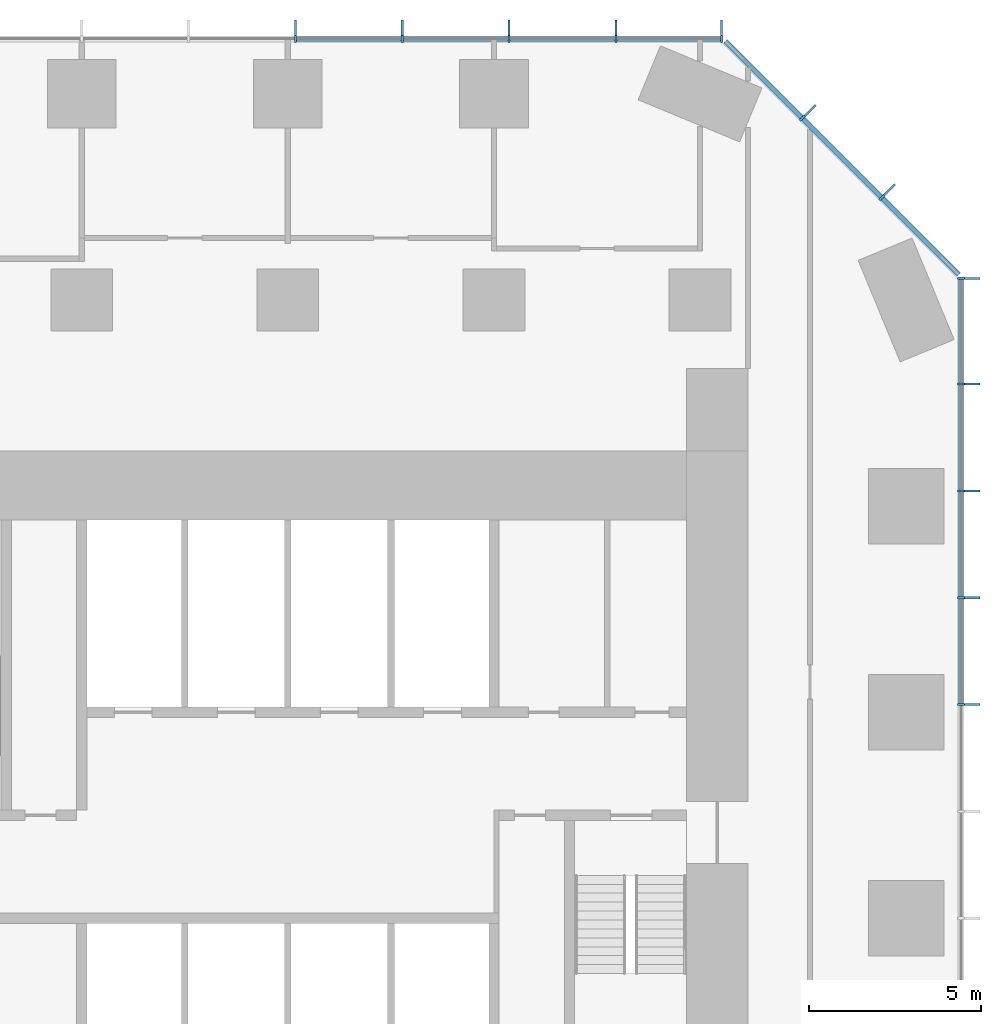
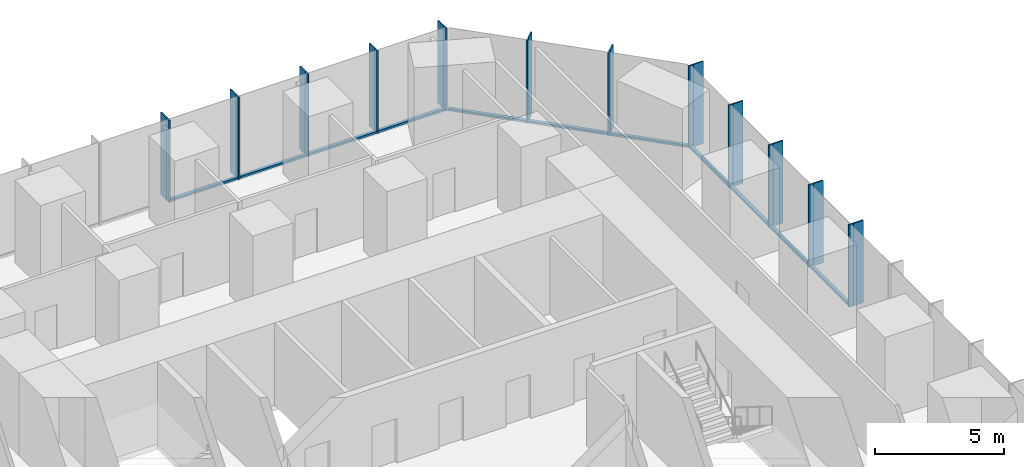
# One storey, part 6 of 11: 35 members, 3 elements without a shape of their own.
"""IFC4 building model written with IfcOpenShell, lengths in metres."""

import ifcopenshell
import ifcopenshell.guid

model = None  # the IFC model being written
_history = None  # IfcOwnerHistory: only IFC2X3 demands one
_inside = {}  # id of a spatial element -> (the spatial element, [elements in it])
_under = {}  # id of a project, library or spatial element -> (it, [spatial elements below it])
_declared = {}  # id of a project -> (the project, [libraries it declares])
_typed = {}  # id of a type object -> (the type object, [elements of that type])
_made_of = {}  # id of a material, layer set ... -> (it, [elements and type objects made of it])


def new_model(schema):
    """Start an empty IFC model of exactly this schema.

    Asked for "IFC4X3", IfcOpenShell would pick the latest addendum, in which some entities
    have other attributes; the version numbers below select the first issue.
    IFC2X3 requires an IfcOwnerHistory on every rooted entity: one is made here for all.
    """
    global model, _history
    if schema == "IFC4X3":
        model = ifcopenshell.file(schema_version=(4, 3, 0, 0))
    else:
        model = ifcopenshell.file(schema=schema)
    _inside.clear()
    _under.clear()
    _declared.clear()
    _typed.clear()
    _made_of.clear()
    _history = None
    if model.schema == "IFC2X3":
        org = make("IfcOrganization", Name="unknown")
        user = make(
            "IfcPersonAndOrganization",
            ThePerson=make("IfcPerson", FamilyName="unknown"),
            TheOrganization=org,
        )
        app = make(
            "IfcApplication",
            ApplicationDeveloper=org,
            Version="unknown",
            ApplicationFullName="unknown",
            ApplicationIdentifier="unknown",
        )
        _history = make(
            "IfcOwnerHistory",
            OwningUser=user,
            OwningApplication=app,
            ChangeAction="ADDED",
            CreationDate=0,
        )
    return model


def make(cls, **values):
    """One entity of the class cls with the attributes given. An attribute that is None is left unset."""
    return model.create_entity(
        cls, **{name: value for name, value in values.items() if value is not None}
    )


def rooted(cls, **values):
    """An entity with a GlobalId (a new one), such as an element, a storey or a relation."""
    return make(cls, GlobalId=ifcopenshell.guid.new(), OwnerHistory=_history, **values)


def si_unit(unit_type, name, prefix=None):
    """IfcSIUnit, for example si_unit("LENGTHUNIT", "METRE", prefix="MILLI")."""
    return make("IfcSIUnit", UnitType=unit_type, Prefix=prefix, Name=name)


def assignment(units):
    """IfcUnitAssignment: the units of a project."""
    return None if units is None else make("IfcUnitAssignment", Units=units)


def point(xyz):
    """IfcCartesianPoint."""
    return None if xyz is None else make("IfcCartesianPoint", Coordinates=xyz)


def direction(xyz):
    """IfcDirection."""
    return None if xyz is None else make("IfcDirection", DirectionRatios=xyz)


def frame(location, z_axis=None, x_axis=None):
    """IfcAxis2Placement3D, a coordinate frame: its origin and axes. An axis left out is left unset."""
    return make(
        "IfcAxis2Placement3D",
        Location=point(location),
        Axis=direction(z_axis),
        RefDirection=direction(x_axis),
    )


def frame_2d(location, x_axis=None):
    """IfcAxis2Placement2D, a coordinate frame in the plane: its origin and x axis."""
    return make(
        "IfcAxis2Placement2D", Location=point(location), RefDirection=direction(x_axis)
    )


def origin():
    """The frame at (0, 0, 0) with its axes left unset."""
    return frame((0.0, 0.0, 0.0))


def origin_2d():
    """The frame at (0, 0) in the plane with its x axis left unset."""
    return frame_2d((0.0, 0.0))


def place(relative_to, where):
    """IfcLocalPlacement: puts the frame where relative to a parent placement (None: the world)."""
    return make(
        "IfcLocalPlacement", PlacementRelTo=relative_to, RelativePlacement=where
    )


def context(
    kind, dimensions, precision=None, world=None, true_north=None, identifier=None
):
    """IfcGeometricRepresentationContext, for example the 3D "Model" context."""
    return make(
        "IfcGeometricRepresentationContext",
        ContextIdentifier=identifier,
        ContextType=kind,
        CoordinateSpaceDimension=dimensions,
        Precision=precision,
        WorldCoordinateSystem=world,
        TrueNorth=true_north,
    )


def subcontext(parent, identifier, kind, view, scale=None):
    """IfcGeometricRepresentationSubContext, for example "Body" below "Model"."""
    return make(
        "IfcGeometricRepresentationSubContext",
        ContextIdentifier=identifier,
        ContextType=kind,
        ParentContext=parent,
        TargetScale=scale,
        TargetView=view,
    )


def project(units=None, contexts=None):
    """IfcProject with its units and contexts."""
    return rooted(
        "IfcProject",
        Name="project",
        RepresentationContexts=contexts,
        UnitsInContext=assignment(units),
    )


def spatial(cls, under=None, at=None, **own):
    """A site, building, storey or space (cls), placed at a placement, below another one or the project."""
    s = rooted(cls, ObjectPlacement=at, **own)
    if under is not None:
        _under.setdefault(under.id(), (under, []))[1].append(s)
    return s


def profile(cls, at=None, kind="AREA", **sizes):
    """A parametric profile (cls). Its sizes go by their IFC names, for example OverallWidth=200.0."""
    return make(cls, ProfileType=kind, Position=at, **sizes)


def rectangle(**sizes):
    """IfcRectangleProfileDef."""
    return profile("IfcRectangleProfileDef", **sizes)


def extrude(swept, where, along, depth):
    """IfcExtrudedAreaSolid: the profile swept, set in the frame where, extruded along a direction by depth."""
    return make(
        "IfcExtrudedAreaSolid",
        SweptArea=swept,
        Position=where,
        ExtrudedDirection=direction(along),
        Depth=depth,
    )


def shape(context_of_items, identifier, shape_type, items):
    """IfcShapeRepresentation: the items that make up one representation, for example the "Body"."""
    return make(
        "IfcShapeRepresentation",
        ContextOfItems=context_of_items,
        RepresentationIdentifier=identifier,
        RepresentationType=shape_type,
        Items=items,
    )


def material(Name=None, Category=None):
    """IfcMaterial."""
    return make("IfcMaterial", Name=Name, Category=Category)


def layer(
    of_material, thickness, ventilated=None, Name=None, Category=None, Priority=None
):
    """IfcMaterialLayer: one layer of a wall or slab, of a material (None: an air gap)."""
    return make(
        "IfcMaterialLayer",
        Material=of_material,
        LayerThickness=thickness,
        IsVentilated=ventilated,
        Name=Name,
        Category=Category,
        Priority=Priority,
    )


def layer_set(layers, Name=None):
    """IfcMaterialLayerSet."""
    return make("IfcMaterialLayerSet", MaterialLayers=layers, LayerSetName=Name)


def material_profile(
    of_material, cross_section, Name=None, Category=None, Priority=None
):
    """IfcMaterialProfile: a cross section and its material."""
    return make(
        "IfcMaterialProfile",
        Name=Name,
        Material=of_material,
        Profile=cross_section,
        Priority=Priority,
        Category=Category,
    )


def profile_set(profiles, Name=None, composite=None):
    """IfcMaterialProfileSet."""
    return make(
        "IfcMaterialProfileSet",
        Name=Name,
        MaterialProfiles=profiles,
        CompositeProfile=composite,
    )


def made_of(thing, what):
    """Note that an element or type object is made of a material, layer set ...; save() writes the relation."""
    if what is not None:
        _made_of.setdefault(what.id(), (what, []))[1].append(thing)
    return thing


def type_object(cls, material=None, **own):
    """A type object (cls), such as IfcWallType, which elements share."""
    return made_of(rooted(cls, **own), material)


def element(
    cls,
    number,
    at=None,
    inside=None,
    cuts=None,
    type_object=None,
    material=None,
    context=None,
    identifier="Body",
    shape_type=None,
    held_by="IfcProductDefinitionShape",
    body=None,
    shapes=None,
    **own,
):
    """One element of the class cls, such as IfcWall. Its Tag is "e" and its number.

    at: its placement. inside: the storey or other place that contains it. cuts: it is an
    opening in that element (IfcRelVoidsElement). A single representation is given by context,
    identifier, shape_type and body (its items); several are given by shapes. held_by: the class
    of the entity that holds the representations. save() writes the other relations.
    """
    e = rooted(cls, Tag="e%d" % number, ObjectPlacement=at, **own)
    if body is not None:
        shapes = [shape(context, identifier, shape_type, body)]
    if shapes is not None:
        e.Representation = make(held_by, Representations=shapes)
    if inside is not None:
        _inside.setdefault(inside.id(), (inside, []))[1].append(e)
    if cuts is not None:
        rooted(
            "IfcRelVoidsElement", RelatingBuildingElement=cuts, RelatedOpeningElement=e
        )
    if type_object is not None:
        _typed.setdefault(type_object.id(), (type_object, []))[1].append(e)
    return made_of(e, material)


def aggregate(whole, parts):
    """IfcRelAggregates: a whole, such as a stair, and the parts it consists of."""
    return rooted("IfcRelAggregates", RelatingObject=whole, RelatedObjects=parts)


def save(model, path):
    """Write the relations noted so far, then the file.

    IfcRelAggregates (storeys below a building ...), IfcRelContainedInSpatialStructure (elements
    in a storey), IfcRelDefinesByType, IfcRelAssociatesMaterial and IfcRelDeclares: one each for
    every whole, place, type object, material and project.
    """
    for whole, parts in _under.values():
        aggregate(whole, parts)
    for where, things in _inside.values():
        rooted(
            "IfcRelContainedInSpatialStructure",
            RelatedElements=things,
            RelatingStructure=where,
        )
    for kind, things in _typed.values():
        rooted("IfcRelDefinesByType", RelatedObjects=things, RelatingType=kind)
    for what, things in _made_of.values():
        rooted("IfcRelAssociatesMaterial", RelatedObjects=things, RelatingMaterial=what)
    for by, libraries in _declared.values():
        rooted("IfcRelDeclares", RelatingContext=by, RelatedDefinitions=libraries)
    model.write(path)


model = new_model("IFC4")

# Units and contexts
model_context = context("Model", 3, precision=1e-05, world=origin(), true_north=direction((0.0, 1.0)))
body_context = subcontext(model_context, "Body", "Model", "MODEL_VIEW")
ifc_project = project(units=[si_unit("LENGTHUNIT", "METRE"), si_unit("AREAUNIT", "SQUARE_METRE"), si_unit("VOLUMEUNIT", "CUBIC_METRE"), si_unit("PLANEANGLEUNIT", "RADIAN"), si_unit("MASSUNIT", "GRAM", prefix="KILO")], contexts=[model_context])

# Site, building, storey
site_placement = place(None, origin())
site = spatial("IfcSite", under=ifc_project, at=site_placement, CompositionType="ELEMENT")
building_placement = place(site_placement, origin())
building = spatial("IfcBuilding", under=site, at=building_placement, Name="Highveld Stack Headquarters", CompositionType="ELEMENT")
storey_placement = place(building_placement, frame((0.0, 0.0, 33.800048828125)))
storey = spatial("IfcBuildingStorey", under=building, at=storey_placement, Name="L07", CompositionType="ELEMENT", Elevation=33.800048828125)

# Curtain wall, members
ifc_material_1 = material(Name="Aluminium bronze anodised", Category="aluminium")
ifc_layer_1 = layer(ifc_material_1, 0.199951171875)
ifc_layer_set_1 = layer_set([ifc_layer_1], Name="Aluminium bronze anodised")
curtain_wall_type_1 = type_object("IfcCurtainWallType", Name="CW1 TOWER UNITISED CURTAIN WALL", PredefinedType="NOTDEFINED", material=ifc_layer_set_1)
curtain_wall_1_placement = place(storey_placement, origin())
curtain_wall_1 = element("IfcCurtainWall", 1, at=curtain_wall_1_placement, inside=storey, type_object=curtain_wall_type_1, Name="Curtain wall CW1 L07 E", PredefinedType="NOTDEFINED")
ifc_material_2 = material(Name="Aluminium bronze anodised", Category="aluminium")
ifc_material_profile_1 = material_profile(ifc_material_2, rectangle(XDim=0.449951171875, YDim=0.06005859375, at=origin_2d()), Name="FIN 450x60")
ifc_profile_set_1 = profile_set([ifc_material_profile_1], Name="Aluminium bronze anodised")
member_type_1 = type_object("IfcMemberType", Name="CW1 BRONZE FIN 450x60", PredefinedType="USERDEFINED", material=ifc_profile_set_1)
member_1_placement = place(storey_placement, frame((25.925048828125, 6.220947265625, 0.0), z_axis=(0.0, 0.0, 1.0), x_axis=(-1.0, 0.0, 0.0)))
member_1 = element("IfcMember", 2, at=member_1_placement, type_object=member_type_1, Name="CW1 fin L07 9", ObjectType="FIN", PredefinedType="USERDEFINED", context=body_context, shape_type="SweptSolid", body=[
    extrude(rectangle(XDim=0.449951171875, YDim=0.06005859375, at=origin_2d()), origin(), (0.0, 0.0, 1.0), 3.89990234375),
])
member_2_placement = place(storey_placement, frame((25.925048828125, 9.331298828125, 0.0), z_axis=(0.0, 0.0, 1.0), x_axis=(-1.0, 0.0, 0.0)))
member_2 = element("IfcMember", 3, at=member_2_placement, type_object=member_type_1, Name="CW1 fin L07 10", ObjectType="FIN", PredefinedType="USERDEFINED", context=body_context, shape_type="SweptSolid", body=[
    extrude(rectangle(XDim=0.449951171875, YDim=0.06005859375, at=origin_2d()), origin(), (0.0, 0.0, 1.0), 3.89990234375),
])
member_3_placement = place(storey_placement, frame((25.925048828125, 12.44189453125, 0.0), z_axis=(0.0, 0.0, 1.0), x_axis=(-1.0, 0.0, 0.0)))
member_3 = element("IfcMember", 4, at=member_3_placement, type_object=member_type_1, Name="CW1 fin L07 11", ObjectType="FIN", PredefinedType="USERDEFINED", context=body_context, shape_type="SweptSolid", body=[
    extrude(rectangle(XDim=0.449951171875, YDim=0.06005859375, at=origin_2d()), origin(), (0.0, 0.0, 1.0), 3.89990234375),
])
member_4_placement = place(storey_placement, frame((25.925048828125, 15.55224609375, 0.0), z_axis=(0.0, 0.0, 1.0), x_axis=(-1.0, 0.0, 0.0)))
member_4 = element("IfcMember", 5, at=member_4_placement, type_object=member_type_1, Name="CW1 fin L07 12", ObjectType="FIN", PredefinedType="USERDEFINED", context=body_context, shape_type="SweptSolid", body=[
    extrude(rectangle(XDim=0.449951171875, YDim=0.06005859375, at=origin_2d()), origin(), (0.0, 0.0, 1.0), 3.89990234375),
])
member_5_placement = place(storey_placement, frame((25.925048828125, 18.630126953125, 0.0), z_axis=(0.0, 0.0, 1.0), x_axis=(-1.0, 0.0, 0.0)))
member_5 = element("IfcMember", 6, at=member_5_placement, type_object=member_type_1, Name="CW1 fin L07 13", ObjectType="FIN", PredefinedType="USERDEFINED", context=body_context, shape_type="SweptSolid", body=[
    extrude(rectangle(XDim=0.449951171875, YDim=0.06005859375, at=origin_2d()), origin(), (0.0, 0.0, 1.0), 3.89990234375),
])

curtain_wall_2_placement = place(storey_placement, origin())
curtain_wall_2 = element("IfcCurtainWall", 7, at=curtain_wall_2_placement, inside=storey, type_object=curtain_wall_type_1, Name="Curtain wall CW1 L07 N", PredefinedType="NOTDEFINED")
member_6_placement = place(storey_placement, frame((18.630126953125, 25.925048828125, 0.0), z_axis=(0.0, 0.0, 1.0), x_axis=(0.0, -1.0, 0.0)))
member_6 = element("IfcMember", 8, at=member_6_placement, type_object=member_type_1, Name="CW1 fin L07 1", ObjectType="FIN", PredefinedType="USERDEFINED", context=body_context, shape_type="SweptSolid", body=[
    extrude(rectangle(XDim=0.449951171875, YDim=0.06005859375, at=origin_2d()), origin(), (0.0, 0.0, 1.0), 3.89990234375),
])
member_7_placement = place(storey_placement, frame((15.55224609375, 25.925048828125, 0.0), z_axis=(0.0, 0.0, 1.0), x_axis=(0.0, -1.0, 0.0)))
member_7 = element("IfcMember", 9, at=member_7_placement, type_object=member_type_1, Name="CW1 fin L07 2", ObjectType="FIN", PredefinedType="USERDEFINED", context=body_context, shape_type="SweptSolid", body=[
    extrude(rectangle(XDim=0.449951171875, YDim=0.06005859375, at=origin_2d()), origin(), (0.0, 0.0, 1.0), 3.89990234375),
])
member_8_placement = place(storey_placement, frame((12.44189453125, 25.925048828125, 0.0), z_axis=(0.0, 0.0, 1.0), x_axis=(0.0, -1.0, 0.0)))
member_8 = element("IfcMember", 10, at=member_8_placement, type_object=member_type_1, Name="CW1 fin L07 3", ObjectType="FIN", PredefinedType="USERDEFINED", context=body_context, shape_type="SweptSolid", body=[
    extrude(rectangle(XDim=0.449951171875, YDim=0.06005859375, at=origin_2d()), origin(), (0.0, 0.0, 1.0), 3.89990234375),
])
member_9_placement = place(storey_placement, frame((9.331298828125, 25.925048828125, 0.0), z_axis=(0.0, 0.0, 1.0), x_axis=(0.0, -1.0, 0.0)))
member_9 = element("IfcMember", 11, at=member_9_placement, type_object=member_type_1, Name="CW1 fin L07 4", ObjectType="FIN", PredefinedType="USERDEFINED", context=body_context, shape_type="SweptSolid", body=[
    extrude(rectangle(XDim=0.449951171875, YDim=0.06005859375, at=origin_2d()), origin(), (0.0, 0.0, 1.0), 3.89990234375),
])
member_10_placement = place(storey_placement, frame((6.220947265625, 25.925048828125, 0.0), z_axis=(0.0, 0.0, 1.0), x_axis=(0.0, -1.0, 0.0)))
member_10 = element("IfcMember", 12, at=member_10_placement, type_object=member_type_1, Name="CW1 fin L07 5", ObjectType="FIN", PredefinedType="USERDEFINED", context=body_context, shape_type="SweptSolid", body=[
    extrude(rectangle(XDim=0.449951171875, YDim=0.06005859375, at=origin_2d()), origin(), (0.0, 0.0, 1.0), 3.89990234375),
])

# Member
ifc_material_3 = material(Name="Aluminium bronze anodised", Category="aluminium")
ifc_material_profile_2 = material_profile(ifc_material_3, rectangle(XDim=0.199951171875, YDim=0.06494140625, at=origin_2d()), Name="CW1 MULLION 65x200")
ifc_profile_set_2 = profile_set([ifc_material_profile_2], Name="Aluminium bronze anodised")
member_type_2 = type_object("IfcMemberType", Name="CW1 MULLION 65x200", PredefinedType="MULLION", material=ifc_profile_set_2)
member_11_placement = place(storey_placement, frame((25.60009765625, 6.220947265625, 0.0), z_axis=(0.0, 0.0, 1.0), x_axis=(-1.0, 0.0, 0.0)))
member_11 = element("IfcMember", 13, at=member_11_placement, type_object=member_type_2, Name="CW1 mullion L07 9", PredefinedType="MULLION", context=body_context, shape_type="SweptSolid", body=[
    extrude(rectangle(XDim=0.199951171875, YDim=0.06494140625, at=origin_2d()), origin(), (0.0, 0.0, 1.0), 3.89990234375),
])

member_12_placement = place(storey_placement, frame((25.60009765625, 9.331298828125, 0.0), z_axis=(0.0, 0.0, 1.0), x_axis=(-1.0, 0.0, 0.0)))
member_12 = element("IfcMember", 14, at=member_12_placement, type_object=member_type_2, Name="CW1 mullion L07 10", PredefinedType="MULLION", context=body_context, shape_type="SweptSolid", body=[
    extrude(rectangle(XDim=0.199951171875, YDim=0.06494140625, at=origin_2d()), origin(), (0.0, 0.0, 1.0), 3.89990234375),
])

member_13_placement = place(storey_placement, frame((25.60009765625, 12.44189453125, 0.0), z_axis=(0.0, 0.0, 1.0), x_axis=(-1.0, 0.0, 0.0)))
member_13 = element("IfcMember", 15, at=member_13_placement, type_object=member_type_2, Name="CW1 mullion L07 11", PredefinedType="MULLION", context=body_context, shape_type="SweptSolid", body=[
    extrude(rectangle(XDim=0.199951171875, YDim=0.06494140625, at=origin_2d()), origin(), (0.0, 0.0, 1.0), 3.89990234375),
])

member_14_placement = place(storey_placement, frame((25.60009765625, 15.55224609375, 0.0), z_axis=(0.0, 0.0, 1.0), x_axis=(-1.0, 0.0, 0.0)))
member_14 = element("IfcMember", 16, at=member_14_placement, type_object=member_type_2, Name="CW1 mullion L07 12", PredefinedType="MULLION", context=body_context, shape_type="SweptSolid", body=[
    extrude(rectangle(XDim=0.199951171875, YDim=0.06494140625, at=origin_2d()), origin(), (0.0, 0.0, 1.0), 3.89990234375),
])

member_15_placement = place(storey_placement, frame((25.60009765625, 18.630126953125, 0.0), z_axis=(0.0, 0.0, 1.0), x_axis=(-1.0, 0.0, 0.0)))
member_15 = element("IfcMember", 17, at=member_15_placement, type_object=member_type_2, Name="CW1 mullion L07 13", PredefinedType="MULLION", context=body_context, shape_type="SweptSolid", body=[
    extrude(rectangle(XDim=0.199951171875, YDim=0.06494140625, at=origin_2d()), origin(), (0.0, 0.0, 1.0), 3.89990234375),
])

member_16_placement = place(storey_placement, frame((18.630126953125, 25.60009765625, 0.0), z_axis=(0.0, 0.0, 1.0), x_axis=(0.0, -1.0, 0.0)))
member_16 = element("IfcMember", 18, at=member_16_placement, type_object=member_type_2, Name="CW1 mullion L07 1", PredefinedType="MULLION", context=body_context, shape_type="SweptSolid", body=[
    extrude(rectangle(XDim=0.199951171875, YDim=0.06494140625, at=origin_2d()), origin(), (0.0, 0.0, 1.0), 3.89990234375),
])

member_17_placement = place(storey_placement, frame((15.55224609375, 25.60009765625, 0.0), z_axis=(0.0, 0.0, 1.0), x_axis=(0.0, -1.0, 0.0)))
member_17 = element("IfcMember", 19, at=member_17_placement, type_object=member_type_2, Name="CW1 mullion L07 2", PredefinedType="MULLION", context=body_context, shape_type="SweptSolid", body=[
    extrude(rectangle(XDim=0.199951171875, YDim=0.06494140625, at=origin_2d()), origin(), (0.0, 0.0, 1.0), 3.89990234375),
])

member_18_placement = place(storey_placement, frame((12.44189453125, 25.60009765625, 0.0), z_axis=(0.0, 0.0, 1.0), x_axis=(0.0, -1.0, 0.0)))
member_18 = element("IfcMember", 20, at=member_18_placement, type_object=member_type_2, Name="CW1 mullion L07 3", PredefinedType="MULLION", context=body_context, shape_type="SweptSolid", body=[
    extrude(rectangle(XDim=0.199951171875, YDim=0.06494140625, at=origin_2d()), origin(), (0.0, 0.0, 1.0), 3.89990234375),
])

member_19_placement = place(storey_placement, frame((9.331298828125, 25.60009765625, 0.0), z_axis=(0.0, 0.0, 1.0), x_axis=(0.0, -1.0, 0.0)))
member_19 = element("IfcMember", 21, at=member_19_placement, type_object=member_type_2, Name="CW1 mullion L07 4", PredefinedType="MULLION", context=body_context, shape_type="SweptSolid", body=[
    extrude(rectangle(XDim=0.199951171875, YDim=0.06494140625, at=origin_2d()), origin(), (0.0, 0.0, 1.0), 3.89990234375),
])

member_20_placement = place(storey_placement, frame((6.220947265625, 25.60009765625, 0.0), z_axis=(0.0, 0.0, 1.0), x_axis=(0.0, -1.0, 0.0)))
member_20 = element("IfcMember", 22, at=member_20_placement, type_object=member_type_2, Name="CW1 mullion L07 5", PredefinedType="MULLION", context=body_context, shape_type="SweptSolid", body=[
    extrude(rectangle(XDim=0.199951171875, YDim=0.06494140625, at=origin_2d()), origin(), (0.0, 0.0, 1.0), 3.89990234375),
])

ifc_material_4 = material(Name="Aluminium bronze anodised", Category="aluminium")
ifc_material_profile_3 = material_profile(ifc_material_4, rectangle(XDim=0.14990234375, YDim=0.10009765625, at=origin_2d()), Name="CW1 TRANSOM 150x100")
ifc_profile_set_3 = profile_set([ifc_material_profile_3], Name="Aluminium bronze anodised")
member_type_3 = type_object("IfcMemberType", Name="CW1 STACK TRANSOM 150x100", PredefinedType="USERDEFINED", material=ifc_profile_set_3)
member_21_placement = place(storey_placement, frame((25.60009765625, 6.25341796875, 0.050048828125), z_axis=(0.0, 1.0, 0.0), x_axis=(-1.0, 0.0, 0.0)))
member_21 = element("IfcMember", 23, at=member_21_placement, type_object=member_type_3, Name="CW1 transom L07 9.1", ObjectType="TRANSOM", PredefinedType="USERDEFINED", context=body_context, shape_type="SweptSolid", body=[
    extrude(rectangle(XDim=0.14990234375, YDim=0.10009765625, at=origin_2d()), origin(), (0.0, 0.0, 1.0), 3.04541015625),
])

member_22_placement = place(storey_placement, frame((25.60009765625, 9.36376953125, 0.050048828125), z_axis=(0.0, 1.0, 0.0), x_axis=(-1.0, 0.0, 0.0)))
member_22 = element("IfcMember", 24, at=member_22_placement, type_object=member_type_3, Name="CW1 transom L07 10.1", ObjectType="TRANSOM", PredefinedType="USERDEFINED", context=body_context, shape_type="SweptSolid", body=[
    extrude(rectangle(XDim=0.14990234375, YDim=0.10009765625, at=origin_2d()), origin(), (0.0, 0.0, 1.0), 3.04541015625),
])

member_23_placement = place(storey_placement, frame((25.60009765625, 12.474365234375, 0.050048828125), z_axis=(0.0, 1.0, 0.0), x_axis=(-1.0, 0.0, 0.0)))
member_23 = element("IfcMember", 25, at=member_23_placement, type_object=member_type_3, Name="CW1 transom L07 11.1", ObjectType="TRANSOM", PredefinedType="USERDEFINED", context=body_context, shape_type="SweptSolid", body=[
    extrude(rectangle(XDim=0.14990234375, YDim=0.10009765625, at=origin_2d()), origin(), (0.0, 0.0, 1.0), 3.04541015625),
])

member_24_placement = place(storey_placement, frame((25.60009765625, 15.584716796875, 0.050048828125), z_axis=(0.0, 1.0, 0.0), x_axis=(-1.0, 0.0, 0.0)))
member_24 = element("IfcMember", 26, at=member_24_placement, type_object=member_type_3, Name="CW1 transom L07 12.1", ObjectType="TRANSOM", PredefinedType="USERDEFINED", context=body_context, shape_type="SweptSolid", body=[
    extrude(rectangle(XDim=0.14990234375, YDim=0.10009765625, at=origin_2d()), origin(), (0.0, 0.0, 1.0), 3.012939453125),
])

aggregate(curtain_wall_1, [member_11, member_1, member_12, member_2, member_13, member_3, member_14, member_4, member_15, member_5, member_21, member_22, member_23, member_24])

member_25_placement = place(storey_placement, frame((18.59765625, 25.60009765625, 0.050048828125), z_axis=(-1.0, 0.0, 0.0), x_axis=(0.0, -1.0, 0.0)))
member_25 = element("IfcMember", 27, at=member_25_placement, type_object=member_type_3, Name="CW1 transom L07 1.1", ObjectType="TRANSOM", PredefinedType="USERDEFINED", context=body_context, shape_type="SweptSolid", body=[
    extrude(rectangle(XDim=0.14990234375, YDim=0.10009765625, at=origin_2d()), origin(), (0.0, 0.0, 1.0), 3.012939453125),
])

member_26_placement = place(storey_placement, frame((15.519775390625, 25.60009765625, 0.050048828125), z_axis=(-1.0, 0.0, 0.0), x_axis=(0.0, -1.0, 0.0)))
member_26 = element("IfcMember", 28, at=member_26_placement, type_object=member_type_3, Name="CW1 transom L07 2.1", ObjectType="TRANSOM", PredefinedType="USERDEFINED", context=body_context, shape_type="SweptSolid", body=[
    extrude(rectangle(XDim=0.14990234375, YDim=0.10009765625, at=origin_2d()), origin(), (0.0, 0.0, 1.0), 3.04541015625),
])

member_27_placement = place(storey_placement, frame((12.4091796875, 25.60009765625, 0.050048828125), z_axis=(-1.0, 0.0, 0.0), x_axis=(0.0, -1.0, 0.0)))
member_27 = element("IfcMember", 29, at=member_27_placement, type_object=member_type_3, Name="CW1 transom L07 3.1", ObjectType="TRANSOM", PredefinedType="USERDEFINED", context=body_context, shape_type="SweptSolid", body=[
    extrude(rectangle(XDim=0.14990234375, YDim=0.10009765625, at=origin_2d()), origin(), (0.0, 0.0, 1.0), 3.045166015625),
])

member_28_placement = place(storey_placement, frame((9.298828125, 25.60009765625, 0.050048828125), z_axis=(-1.0, 0.0, 0.0), x_axis=(0.0, -1.0, 0.0)))
member_28 = element("IfcMember", 30, at=member_28_placement, type_object=member_type_3, Name="CW1 transom L07 4.1", ObjectType="TRANSOM", PredefinedType="USERDEFINED", context=body_context, shape_type="SweptSolid", body=[
    extrude(rectangle(XDim=0.14990234375, YDim=0.10009765625, at=origin_2d()), origin(), (0.0, 0.0, 1.0), 3.04541015625),
])

aggregate(curtain_wall_2, [member_16, member_6, member_17, member_7, member_18, member_8, member_19, member_9, member_20, member_10, member_25, member_26, member_27, member_28])

# Curtain wall, members
ifc_material_5 = material(Name="Aluminium bronze anodised", Category="aluminium")
ifc_layer_2 = layer(ifc_material_5, 0.199951171875)
ifc_layer_set_2 = layer_set([ifc_layer_2], Name="Aluminium bronze anodised")
curtain_wall_type_2 = type_object("IfcCurtainWallType", Name="CW2 TOWER CHAMFER UNITISED CURTAIN WALL", PredefinedType="NOTDEFINED", material=ifc_layer_set_2)
curtain_wall_3_placement = place(storey_placement, origin())
curtain_wall_3 = element("IfcCurtainWall", 31, at=curtain_wall_3_placement, inside=storey, type_object=curtain_wall_type_2, Name="Curtain wall CW2 L07 NE", PredefinedType="NOTDEFINED")
ifc_material_6 = material(Name="Aluminium bronze anodised", Category="aluminium")
ifc_material_profile_4 = material_profile(ifc_material_6, rectangle(XDim=0.449951171875, YDim=0.06005859375, at=origin_2d()), Name="FIN 450x60")
ifc_profile_set_4 = profile_set([ifc_material_profile_4], Name="Aluminium bronze anodised")
member_type_4 = type_object("IfcMemberType", Name="CW2 BRONZE FIN 450x60", PredefinedType="USERDEFINED", material=ifc_profile_set_4)
member_29_placement = place(storey_placement, frame((23.517333984375, 21.204833984375, 0.0), z_axis=(0.0, 0.0, 1.0), x_axis=(-0.707106781187, -0.707106781187, 0.0)))
member_29 = element("IfcMember", 32, at=member_29_placement, type_object=member_type_4, Name="CW2 fin L07 1", ObjectType="FIN", PredefinedType="USERDEFINED", context=body_context, shape_type="SweptSolid", body=[
    extrude(rectangle(XDim=0.449951171875, YDim=0.06005859375, at=origin_2d()), origin(), (0.0, 0.0, 1.0), 3.89990234375),
])
member_30_placement = place(storey_placement, frame((21.204833984375, 23.517333984375, 0.0), z_axis=(0.0, 0.0, 1.0), x_axis=(-0.707106781187, -0.707106781187, 0.0)))
member_30 = element("IfcMember", 33, at=member_30_placement, type_object=member_type_4, Name="CW2 fin L07 2", ObjectType="FIN", PredefinedType="USERDEFINED", context=body_context, shape_type="SweptSolid", body=[
    extrude(rectangle(XDim=0.449951171875, YDim=0.06005859375, at=origin_2d()), origin(), (0.0, 0.0, 1.0), 3.89990234375),
])
ifc_material_7 = material(Name="Aluminium bronze anodised", Category="aluminium")
ifc_material_profile_5 = material_profile(ifc_material_7, rectangle(XDim=0.199951171875, YDim=0.06494140625, at=origin_2d()), Name="CW2 MULLION 65x200")
ifc_profile_set_5 = profile_set([ifc_material_profile_5], Name="Aluminium bronze anodised")
member_type_5 = type_object("IfcMemberType", Name="CW2 MULLION 65x200", PredefinedType="MULLION", material=ifc_profile_set_5)
member_31_placement = place(storey_placement, frame((23.28759765625, 20.97509765625, 0.0), z_axis=(0.0, 0.0, 1.0), x_axis=(-0.707106781187, -0.707106781187, 0.0)))
member_31 = element("IfcMember", 34, at=member_31_placement, type_object=member_type_5, Name="CW2 mullion L07 1", PredefinedType="MULLION", context=body_context, shape_type="SweptSolid", body=[
    extrude(rectangle(XDim=0.199951171875, YDim=0.06494140625, at=origin_2d()), origin(), (0.0, 0.0, 1.0), 3.89990234375),
])
member_32_placement = place(storey_placement, frame((20.97509765625, 23.28759765625, 0.0), z_axis=(0.0, 0.0, 1.0), x_axis=(-0.707106781187, -0.707106781187, 0.0)))
member_32 = element("IfcMember", 35, at=member_32_placement, type_object=member_type_5, Name="CW2 mullion L07 2", PredefinedType="MULLION", context=body_context, shape_type="SweptSolid", body=[
    extrude(rectangle(XDim=0.199951171875, YDim=0.06494140625, at=origin_2d()), origin(), (0.0, 0.0, 1.0), 3.89990234375),
])
ifc_material_8 = material(Name="Aluminium bronze anodised", Category="aluminium")
ifc_material_profile_6 = material_profile(ifc_material_8, rectangle(XDim=0.14990234375, YDim=0.10009765625, at=origin_2d()), Name="CW2 TRANSOM 150x100")
ifc_profile_set_6 = profile_set([ifc_material_profile_6], Name="Aluminium bronze anodised")
member_type_6 = type_object("IfcMemberType", Name="CW2 STACK TRANSOM 150x100", PredefinedType="USERDEFINED", material=ifc_profile_set_6)
member_33_placement = place(storey_placement, frame((25.529296875, 18.7333984375, 0.050048828125), z_axis=(-0.707106781187, 0.707106781187, 0.0), x_axis=(-0.707106781187, -0.707106781187, 0.0)))
member_33 = element("IfcMember", 36, at=member_33_placement, type_object=member_type_6, Name="CW2 transom L07 1.1", ObjectType="TRANSOM", PredefinedType="USERDEFINED", context=body_context, shape_type="SweptSolid", body=[
    extrude(rectangle(XDim=0.14990234375, YDim=0.10009765625, at=origin_2d()), origin(), (0.0, 0.0, 1.0), 3.1376953125),
])
member_34_placement = place(storey_placement, frame((23.2646484375, 20.998046875, 0.050048828125), z_axis=(-0.707106781187, 0.707106781187, 0.0), x_axis=(-0.707106781187, -0.707106781187, 0.0)))
member_34 = element("IfcMember", 37, at=member_34_placement, type_object=member_type_6, Name="CW2 transom L07 2.1", ObjectType="TRANSOM", PredefinedType="USERDEFINED", context=body_context, shape_type="SweptSolid", body=[
    extrude(rectangle(XDim=0.14990234375, YDim=0.10009765625, at=origin_2d()), origin(), (0.0, 0.0, 1.0), 3.20556640625),
])
member_35_placement = place(storey_placement, frame((20.9521484375, 23.310546875, 0.050048828125), z_axis=(-0.707106781187, 0.707106781187, 0.0), x_axis=(-0.707106781187, -0.707106781187, 0.0)))
member_35 = element("IfcMember", 38, at=member_35_placement, type_object=member_type_6, Name="CW2 transom L07 3.1", ObjectType="TRANSOM", PredefinedType="USERDEFINED", context=body_context, shape_type="SweptSolid", body=[
    extrude(rectangle(XDim=0.14990234375, YDim=0.10009765625, at=origin_2d()), origin(), (0.0, 0.0, 1.0), 3.1376953125),
])
aggregate(curtain_wall_3, [member_31, member_29, member_32, member_30, member_33, member_34, member_35])

save(model, "model.ifc")
